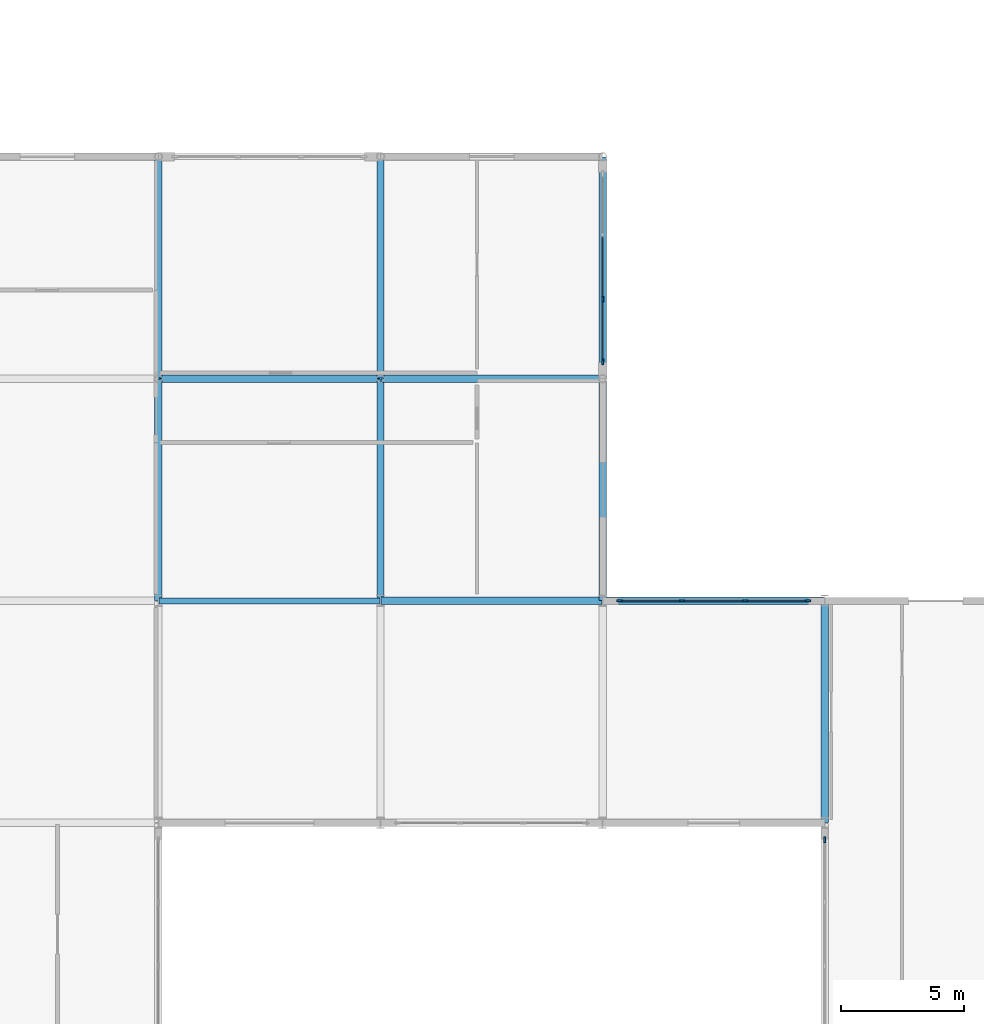
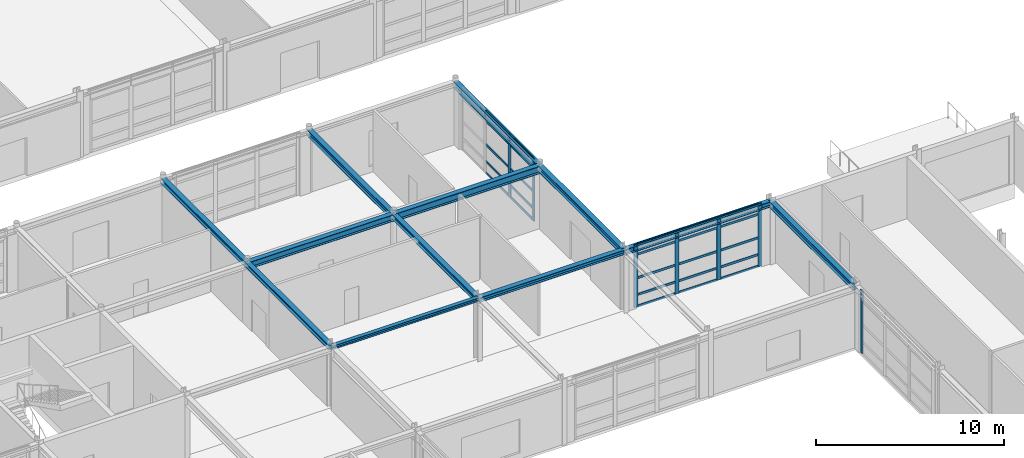
# One storey, part 41 of 72: 32 members, 12 beams, 3 elements without a shape of their own.
"""IFC4 building model written with IfcOpenShell, lengths in metres."""

from ifc_helpers import new_model, si_unit, direction, frame, origin, origin_2d, place, context, subcontext, project, spatial, rectangle, i_section, extrude, material, material_profile, profile_set, type_object, element, aggregate, save


model = new_model("IFC4")

# Units and contexts
model_context = context("Model", 3, precision=1e-05, world=origin(), true_north=direction((0.0, 1.0)))
body_context = subcontext(model_context, "Body", "Model", "MODEL_VIEW")
ifc_project = project(units=[si_unit("LENGTHUNIT", "METRE"), si_unit("AREAUNIT", "SQUARE_METRE"), si_unit("VOLUMEUNIT", "CUBIC_METRE"), si_unit("PLANEANGLEUNIT", "RADIAN"), si_unit("MASSUNIT", "GRAM", prefix="KILO")], contexts=[model_context])

# Site, building, storey
site_placement = place(None, origin())
site = spatial("IfcSite", under=ifc_project, at=site_placement, CompositionType="ELEMENT")
building_placement = place(site_placement, origin())
building = spatial("IfcBuilding", under=site, at=building_placement, Name="Palais des Congres Ocreval", CompositionType="ELEMENT")
storey_placement = place(building_placement, origin())
storey = spatial("IfcBuildingStorey", under=building, at=storey_placement, Name="L00", CompositionType="ELEMENT", Elevation=0.0)

# Curtain wall, members
ifc_material_1 = material(Name="Anodized bronze aluminium and low-E glass", Category="glass")
curtain_wall_type = type_object("IfcCurtainWallType", Name="Unitised Curtain Wall 7900x4060", PredefinedType="USERDEFINED", material=ifc_material_1)
curtain_wall_1_placement = place(storey_placement, origin())
curtain_wall_1 = element("IfcCurtainWall", 1, at=curtain_wall_1_placement, inside=storey, type_object=curtain_wall_type, Name="Unitised Curtain Wall CW01 L00", ObjectType="UNITISED CURTAIN WALL", PredefinedType="USERDEFINED")
ifc_material_2 = material(Name="Anodized bronze aluminium", Category="aluminium")
ifc_material_profile_1 = material_profile(ifc_material_2, rectangle(XDim=0.074951171875, YDim=0.239990234375, at=origin_2d()), Name="ALU 75x240")
ifc_profile_set_1 = profile_set([ifc_material_profile_1], Name="Anodized bronze aluminium")
member_type_1 = type_object("IfcMemberType", Name="Curtain Wall Mullion ALU 75x240", PredefinedType="MULLION", material=ifc_profile_set_1)
member_1_placement = place(storey_placement, frame((144.0, 57.216796875, 0.0), z_axis=(0.0, 0.0, 1.0), x_axis=(1.0, 0.0, 0.0)))
member_1 = element("IfcMember", 2, at=member_1_placement, type_object=member_type_1, Name="Curtain Wall Mullion ML01", PredefinedType="MULLION", context=body_context, shape_type="SweptSolid", body=[
    extrude(rectangle(XDim=0.074951171875, YDim=0.239990234375, at=origin_2d()), origin(), (0.0, 0.0, 1.0), 4.054931640625),
])
member_2_placement = place(storey_placement, frame((144.0, 54.6875, 0.0), z_axis=(0.0, 0.0, 1.0), x_axis=(1.0, 0.0, 0.0)))
member_2 = element("IfcMember", 3, at=member_2_placement, type_object=member_type_1, Name="Curtain Wall Mullion ML01", PredefinedType="MULLION", context=body_context, shape_type="SweptSolid", body=[
    extrude(rectangle(XDim=0.074951171875, YDim=0.239990234375, at=origin_2d()), origin(), (0.0, 0.0, 1.0), 4.054931640625),
])

curtain_wall_2_placement = place(storey_placement, origin())
curtain_wall_2 = element("IfcCurtainWall", 4, at=curtain_wall_2_placement, inside=storey, type_object=curtain_wall_type, Name="Unitised Curtain Wall CW01 L00", ObjectType="UNITISED CURTAIN WALL", PredefinedType="USERDEFINED")
member_3_placement = place(storey_placement, frame((144.6875, 45.0, 0.0), z_axis=(0.0, 0.0, 1.0), x_axis=(0.0, 1.0, 0.0)))
member_3 = element("IfcMember", 5, at=member_3_placement, type_object=member_type_1, Name="Curtain Wall Mullion ML01", PredefinedType="MULLION", context=body_context, shape_type="SweptSolid", body=[
    extrude(rectangle(XDim=0.074951171875, YDim=0.239990234375, at=origin_2d()), origin(), (0.0, 0.0, 1.0), 4.054931640625),
])
member_4_placement = place(storey_placement, frame((147.216796875, 45.0, 0.0), z_axis=(0.0, 0.0, 1.0), x_axis=(0.0, 1.0, 0.0)))
member_4 = element("IfcMember", 6, at=member_4_placement, type_object=member_type_1, Name="Curtain Wall Mullion ML01", PredefinedType="MULLION", context=body_context, shape_type="SweptSolid", body=[
    extrude(rectangle(XDim=0.074951171875, YDim=0.239990234375, at=origin_2d()), origin(), (0.0, 0.0, 1.0), 4.054931640625),
])
member_5_placement = place(storey_placement, frame((149.783203125, 45.0, 0.0), z_axis=(0.0, 0.0, 1.0), x_axis=(0.0, 1.0, 0.0)))
member_5 = element("IfcMember", 7, at=member_5_placement, type_object=member_type_1, Name="Curtain Wall Mullion ML01", PredefinedType="MULLION", context=body_context, shape_type="SweptSolid", body=[
    extrude(rectangle(XDim=0.074951171875, YDim=0.239990234375, at=origin_2d()), origin(), (0.0, 0.0, 1.0), 4.054931640625),
])
member_6_placement = place(storey_placement, frame((152.3125, 45.0, 0.0), z_axis=(0.0, 0.0, 1.0), x_axis=(0.0, 1.0, 0.0)))
member_6 = element("IfcMember", 8, at=member_6_placement, type_object=member_type_1, Name="Curtain Wall Mullion ML01", PredefinedType="MULLION", context=body_context, shape_type="SweptSolid", body=[
    extrude(rectangle(XDim=0.074951171875, YDim=0.239990234375, at=origin_2d()), origin(), (0.0, 0.0, 1.0), 4.054931640625),
])

# Curtain wall, member
curtain_wall_3_placement = place(storey_placement, origin())
curtain_wall_3 = element("IfcCurtainWall", 9, at=curtain_wall_3_placement, inside=storey, type_object=curtain_wall_type, Name="Unitised Curtain Wall CW01 L00", ObjectType="UNITISED CURTAIN WALL", PredefinedType="USERDEFINED")
member_7_placement = place(storey_placement, frame((153.0, 35.3125, 0.0), z_axis=(0.0, 0.0, 1.0), x_axis=(-1.0, 0.0, 0.0)))
member_7 = element("IfcMember", 10, at=member_7_placement, type_object=member_type_1, Name="Curtain Wall Mullion ML01", PredefinedType="MULLION", context=body_context, shape_type="SweptSolid", body=[
    extrude(rectangle(XDim=0.074951171875, YDim=0.239990234375, at=origin_2d()), origin(), (0.0, 0.0, 1.0), 4.054931640625),
])
aggregate(curtain_wall_3, [member_7])

# Member
ifc_material_profile_2 = material_profile(ifc_material_2, rectangle(XDim=0.06005859375, YDim=0.14990234375, at=origin_2d()), Name="ALU 60x150")
ifc_profile_set_2 = profile_set([ifc_material_profile_2], Name="Anodized bronze aluminium")
member_type_2 = type_object("IfcMemberType", Name="Curtain Wall Transom ALU 60x150", PredefinedType="USERDEFINED", material=ifc_profile_set_2)
member_8_placement = place(storey_placement, frame((144.0, 59.745849609375, 0.030029296875), z_axis=(0.0, -1.0, 0.0), x_axis=(1.0, 0.0, 0.0)))
member_8 = element("IfcMember", 11, at=member_8_placement, type_object=member_type_2, Name="Curtain Wall Transom TR01", ObjectType="TRANSOM", PredefinedType="USERDEFINED", context=body_context, shape_type="SweptSolid", body=[
    extrude(rectangle(XDim=0.06005859375, YDim=0.14990234375, at=origin_2d()), origin(), (0.0, 0.0, 1.0), 2.49169921875),
])

member_9_placement = place(storey_placement, frame((144.0, 59.745849609375, 0.780029296875), z_axis=(0.0, -1.0, 0.0), x_axis=(1.0, 0.0, 0.0)))
member_9 = element("IfcMember", 12, at=member_9_placement, type_object=member_type_2, Name="Curtain Wall Transom TR01", ObjectType="TRANSOM", PredefinedType="USERDEFINED", context=body_context, shape_type="SweptSolid", body=[
    extrude(rectangle(XDim=0.06005859375, YDim=0.14990234375, at=origin_2d()), origin(), (0.0, 0.0, 1.0), 2.49169921875),
])

member_10_placement = place(storey_placement, frame((144.0, 59.745849609375, 1.872802734375), z_axis=(0.0, -1.0, 0.0), x_axis=(1.0, 0.0, 0.0)))
member_10 = element("IfcMember", 13, at=member_10_placement, type_object=member_type_2, Name="Curtain Wall Transom TR01", ObjectType="TRANSOM", PredefinedType="USERDEFINED", context=body_context, shape_type="SweptSolid", body=[
    extrude(rectangle(XDim=0.06005859375, YDim=0.14990234375, at=origin_2d()), origin(), (0.0, 0.0, 1.0), 2.49169921875),
])

member_11_placement = place(storey_placement, frame((144.0, 59.745849609375, 3.405029296875), z_axis=(0.0, -1.0, 0.0), x_axis=(1.0, 0.0, 0.0)))
member_11 = element("IfcMember", 14, at=member_11_placement, type_object=member_type_2, Name="Curtain Wall Transom TR01", ObjectType="TRANSOM", PredefinedType="USERDEFINED", context=body_context, shape_type="SweptSolid", body=[
    extrude(rectangle(XDim=0.06005859375, YDim=0.14990234375, at=origin_2d()), origin(), (0.0, 0.0, 1.0), 2.49169921875),
])

member_12_placement = place(storey_placement, frame((144.0, 59.745849609375, 4.02490234375), z_axis=(0.0, -1.0, 0.0), x_axis=(1.0, 0.0, 0.0)))
member_12 = element("IfcMember", 15, at=member_12_placement, type_object=member_type_2, Name="Curtain Wall Transom TR01", ObjectType="TRANSOM", PredefinedType="USERDEFINED", context=body_context, shape_type="SweptSolid", body=[
    extrude(rectangle(XDim=0.06005859375, YDim=0.14990234375, at=origin_2d()), origin(), (0.0, 0.0, 1.0), 2.49169921875),
])

member_13_placement = place(storey_placement, frame((144.0, 57.17919921875, 0.030029296875), z_axis=(0.0, -1.0, 0.0), x_axis=(1.0, 0.0, 0.0)))
member_13 = element("IfcMember", 16, at=member_13_placement, type_object=member_type_2, Name="Curtain Wall Transom TR01", ObjectType="TRANSOM", PredefinedType="USERDEFINED", context=body_context, shape_type="SweptSolid", body=[
    extrude(rectangle(XDim=0.06005859375, YDim=0.14990234375, at=origin_2d()), origin(), (0.0, 0.0, 1.0), 2.4541015625),
])

member_14_placement = place(storey_placement, frame((144.0, 57.17919921875, 0.780029296875), z_axis=(0.0, -1.0, 0.0), x_axis=(1.0, 0.0, 0.0)))
member_14 = element("IfcMember", 17, at=member_14_placement, type_object=member_type_2, Name="Curtain Wall Transom TR01", ObjectType="TRANSOM", PredefinedType="USERDEFINED", context=body_context, shape_type="SweptSolid", body=[
    extrude(rectangle(XDim=0.06005859375, YDim=0.14990234375, at=origin_2d()), origin(), (0.0, 0.0, 1.0), 2.4541015625),
])

member_15_placement = place(storey_placement, frame((144.0, 57.17919921875, 1.872802734375), z_axis=(0.0, -1.0, 0.0), x_axis=(1.0, 0.0, 0.0)))
member_15 = element("IfcMember", 18, at=member_15_placement, type_object=member_type_2, Name="Curtain Wall Transom TR01", ObjectType="TRANSOM", PredefinedType="USERDEFINED", context=body_context, shape_type="SweptSolid", body=[
    extrude(rectangle(XDim=0.06005859375, YDim=0.14990234375, at=origin_2d()), origin(), (0.0, 0.0, 1.0), 2.4541015625),
])

member_16_placement = place(storey_placement, frame((144.0, 57.17919921875, 3.405029296875), z_axis=(0.0, -1.0, 0.0), x_axis=(1.0, 0.0, 0.0)))
member_16 = element("IfcMember", 19, at=member_16_placement, type_object=member_type_2, Name="Curtain Wall Transom TR01", ObjectType="TRANSOM", PredefinedType="USERDEFINED", context=body_context, shape_type="SweptSolid", body=[
    extrude(rectangle(XDim=0.06005859375, YDim=0.14990234375, at=origin_2d()), origin(), (0.0, 0.0, 1.0), 2.4541015625),
])

member_17_placement = place(storey_placement, frame((144.0, 57.17919921875, 4.02490234375), z_axis=(0.0, -1.0, 0.0), x_axis=(1.0, 0.0, 0.0)))
member_17 = element("IfcMember", 20, at=member_17_placement, type_object=member_type_2, Name="Curtain Wall Transom TR01", ObjectType="TRANSOM", PredefinedType="USERDEFINED", context=body_context, shape_type="SweptSolid", body=[
    extrude(rectangle(XDim=0.06005859375, YDim=0.14990234375, at=origin_2d()), origin(), (0.0, 0.0, 1.0), 2.4541015625),
])

aggregate(curtain_wall_1, [member_1, member_2, member_8, member_9, member_10, member_11, member_12, member_13, member_14, member_15, member_16, member_17])

member_18_placement = place(storey_placement, frame((144.72509765625, 45.0, 0.030029296875), z_axis=(1.0, 0.0, 0.0), x_axis=(0.0, 1.0, 0.0)))
member_18 = element("IfcMember", 21, at=member_18_placement, type_object=member_type_2, Name="Curtain Wall Transom TR01", ObjectType="TRANSOM", PredefinedType="USERDEFINED", context=body_context, shape_type="SweptSolid", body=[
    extrude(rectangle(XDim=0.06005859375, YDim=0.14990234375, at=origin_2d()), origin(), (0.0, 0.0, 1.0), 2.4541015625),
])

member_19_placement = place(storey_placement, frame((144.72509765625, 45.0, 0.780029296875), z_axis=(1.0, 0.0, 0.0), x_axis=(0.0, 1.0, 0.0)))
member_19 = element("IfcMember", 22, at=member_19_placement, type_object=member_type_2, Name="Curtain Wall Transom TR01", ObjectType="TRANSOM", PredefinedType="USERDEFINED", context=body_context, shape_type="SweptSolid", body=[
    extrude(rectangle(XDim=0.06005859375, YDim=0.14990234375, at=origin_2d()), origin(), (0.0, 0.0, 1.0), 2.4541015625),
])

member_20_placement = place(storey_placement, frame((144.72509765625, 45.0, 1.872802734375), z_axis=(1.0, 0.0, 0.0), x_axis=(0.0, 1.0, 0.0)))
member_20 = element("IfcMember", 23, at=member_20_placement, type_object=member_type_2, Name="Curtain Wall Transom TR01", ObjectType="TRANSOM", PredefinedType="USERDEFINED", context=body_context, shape_type="SweptSolid", body=[
    extrude(rectangle(XDim=0.06005859375, YDim=0.14990234375, at=origin_2d()), origin(), (0.0, 0.0, 1.0), 2.4541015625),
])

member_21_placement = place(storey_placement, frame((144.72509765625, 45.0, 3.405029296875), z_axis=(1.0, 0.0, 0.0), x_axis=(0.0, 1.0, 0.0)))
member_21 = element("IfcMember", 24, at=member_21_placement, type_object=member_type_2, Name="Curtain Wall Transom TR01", ObjectType="TRANSOM", PredefinedType="USERDEFINED", context=body_context, shape_type="SweptSolid", body=[
    extrude(rectangle(XDim=0.06005859375, YDim=0.14990234375, at=origin_2d()), origin(), (0.0, 0.0, 1.0), 2.4541015625),
])

member_22_placement = place(storey_placement, frame((144.72509765625, 45.0, 4.02490234375), z_axis=(1.0, 0.0, 0.0), x_axis=(0.0, 1.0, 0.0)))
member_22 = element("IfcMember", 25, at=member_22_placement, type_object=member_type_2, Name="Curtain Wall Transom TR01", ObjectType="TRANSOM", PredefinedType="USERDEFINED", context=body_context, shape_type="SweptSolid", body=[
    extrude(rectangle(XDim=0.06005859375, YDim=0.14990234375, at=origin_2d()), origin(), (0.0, 0.0, 1.0), 2.4541015625),
])

member_23_placement = place(storey_placement, frame((147.254150390625, 45.0, 0.030029296875), z_axis=(1.0, 0.0, 0.0), x_axis=(0.0, 1.0, 0.0)))
member_23 = element("IfcMember", 26, at=member_23_placement, type_object=member_type_2, Name="Curtain Wall Transom TR01", ObjectType="TRANSOM", PredefinedType="USERDEFINED", context=body_context, shape_type="SweptSolid", body=[
    extrude(rectangle(XDim=0.06005859375, YDim=0.14990234375, at=origin_2d()), origin(), (0.0, 0.0, 1.0), 2.49169921875),
])

member_24_placement = place(storey_placement, frame((147.254150390625, 45.0, 0.780029296875), z_axis=(1.0, 0.0, 0.0), x_axis=(0.0, 1.0, 0.0)))
member_24 = element("IfcMember", 27, at=member_24_placement, type_object=member_type_2, Name="Curtain Wall Transom TR01", ObjectType="TRANSOM", PredefinedType="USERDEFINED", context=body_context, shape_type="SweptSolid", body=[
    extrude(rectangle(XDim=0.06005859375, YDim=0.14990234375, at=origin_2d()), origin(), (0.0, 0.0, 1.0), 2.49169921875),
])

member_25_placement = place(storey_placement, frame((147.254150390625, 45.0, 1.872802734375), z_axis=(1.0, 0.0, 0.0), x_axis=(0.0, 1.0, 0.0)))
member_25 = element("IfcMember", 28, at=member_25_placement, type_object=member_type_2, Name="Curtain Wall Transom TR01", ObjectType="TRANSOM", PredefinedType="USERDEFINED", context=body_context, shape_type="SweptSolid", body=[
    extrude(rectangle(XDim=0.06005859375, YDim=0.14990234375, at=origin_2d()), origin(), (0.0, 0.0, 1.0), 2.49169921875),
])

member_26_placement = place(storey_placement, frame((147.254150390625, 45.0, 3.405029296875), z_axis=(1.0, 0.0, 0.0), x_axis=(0.0, 1.0, 0.0)))
member_26 = element("IfcMember", 29, at=member_26_placement, type_object=member_type_2, Name="Curtain Wall Transom TR01", ObjectType="TRANSOM", PredefinedType="USERDEFINED", context=body_context, shape_type="SweptSolid", body=[
    extrude(rectangle(XDim=0.06005859375, YDim=0.14990234375, at=origin_2d()), origin(), (0.0, 0.0, 1.0), 2.49169921875),
])

member_27_placement = place(storey_placement, frame((147.254150390625, 45.0, 4.02490234375), z_axis=(1.0, 0.0, 0.0), x_axis=(0.0, 1.0, 0.0)))
member_27 = element("IfcMember", 30, at=member_27_placement, type_object=member_type_2, Name="Curtain Wall Transom TR01", ObjectType="TRANSOM", PredefinedType="USERDEFINED", context=body_context, shape_type="SweptSolid", body=[
    extrude(rectangle(XDim=0.06005859375, YDim=0.14990234375, at=origin_2d()), origin(), (0.0, 0.0, 1.0), 2.49169921875),
])

member_28_placement = place(storey_placement, frame((149.82080078125, 45.0, 0.030029296875), z_axis=(1.0, 0.0, 0.0), x_axis=(0.0, 1.0, 0.0)))
member_28 = element("IfcMember", 31, at=member_28_placement, type_object=member_type_2, Name="Curtain Wall Transom TR01", ObjectType="TRANSOM", PredefinedType="USERDEFINED", context=body_context, shape_type="SweptSolid", body=[
    extrude(rectangle(XDim=0.06005859375, YDim=0.14990234375, at=origin_2d()), origin(), (0.0, 0.0, 1.0), 2.4541015625),
])

member_29_placement = place(storey_placement, frame((149.82080078125, 45.0, 0.780029296875), z_axis=(1.0, 0.0, 0.0), x_axis=(0.0, 1.0, 0.0)))
member_29 = element("IfcMember", 32, at=member_29_placement, type_object=member_type_2, Name="Curtain Wall Transom TR01", ObjectType="TRANSOM", PredefinedType="USERDEFINED", context=body_context, shape_type="SweptSolid", body=[
    extrude(rectangle(XDim=0.06005859375, YDim=0.14990234375, at=origin_2d()), origin(), (0.0, 0.0, 1.0), 2.4541015625),
])

member_30_placement = place(storey_placement, frame((149.82080078125, 45.0, 1.872802734375), z_axis=(1.0, 0.0, 0.0), x_axis=(0.0, 1.0, 0.0)))
member_30 = element("IfcMember", 33, at=member_30_placement, type_object=member_type_2, Name="Curtain Wall Transom TR01", ObjectType="TRANSOM", PredefinedType="USERDEFINED", context=body_context, shape_type="SweptSolid", body=[
    extrude(rectangle(XDim=0.06005859375, YDim=0.14990234375, at=origin_2d()), origin(), (0.0, 0.0, 1.0), 2.4541015625),
])

member_31_placement = place(storey_placement, frame((149.82080078125, 45.0, 3.405029296875), z_axis=(1.0, 0.0, 0.0), x_axis=(0.0, 1.0, 0.0)))
member_31 = element("IfcMember", 34, at=member_31_placement, type_object=member_type_2, Name="Curtain Wall Transom TR01", ObjectType="TRANSOM", PredefinedType="USERDEFINED", context=body_context, shape_type="SweptSolid", body=[
    extrude(rectangle(XDim=0.06005859375, YDim=0.14990234375, at=origin_2d()), origin(), (0.0, 0.0, 1.0), 2.4541015625),
])

member_32_placement = place(storey_placement, frame((149.82080078125, 45.0, 4.02490234375), z_axis=(1.0, 0.0, 0.0), x_axis=(0.0, 1.0, 0.0)))
member_32 = element("IfcMember", 35, at=member_32_placement, type_object=member_type_2, Name="Curtain Wall Transom TR01", ObjectType="TRANSOM", PredefinedType="USERDEFINED", context=body_context, shape_type="SweptSolid", body=[
    extrude(rectangle(XDim=0.06005859375, YDim=0.14990234375, at=origin_2d()), origin(), (0.0, 0.0, 1.0), 2.4541015625),
])

aggregate(curtain_wall_2, [member_3, member_4, member_5, member_6, member_18, member_19, member_20, member_21, member_22, member_23, member_24, member_25, member_26, member_27, member_28, member_29, member_30, member_31, member_32])

# Beams
ifc_material_3 = material(Name="Steel S355", Category="steel")
ifc_material_profile_3 = material_profile(ifc_material_3, i_section(OverallWidth=0.239990234375, OverallDepth=0.22998046875, WebThickness=0.007568359375, FlangeThickness=0.011962890625, at=origin_2d()), Name="HEA 240")
ifc_profile_set_3 = profile_set([ifc_material_profile_3], Name="Steel S355")
beam_type_1 = type_object("IfcBeamType", Name="Perimeter Spandrel HEA 240 Steel S355", PredefinedType="SPANDREL", material=ifc_profile_set_3)
beam_1_placement = place(storey_placement, frame((126.02001953125, 45.0, 3.93994140625), z_axis=(1.0, 0.0, 0.0), x_axis=(0.0, 1.0, 0.0)))
element("IfcBeam", 36, at=beam_1_placement, inside=storey, type_object=beam_type_1, Name="Beam SP01 L00", PredefinedType="SPANDREL", context=body_context, shape_type="SweptSolid", body=[
    extrude(i_section(OverallWidth=0.239990234375, OverallDepth=0.22998046875, WebThickness=0.007568359375, FlangeThickness=0.011962890625, at=origin_2d()), origin(), (0.0, 0.0, 1.0), 8.9599609375),
])
ifc_material_profile_4 = material_profile(ifc_material_3, i_section(OverallWidth=0.300048828125, OverallDepth=0.300048828125, WebThickness=0.010986328125, FlangeThickness=0.01904296875, at=origin_2d()), Name="HEB 300")
ifc_profile_set_4 = profile_set([ifc_material_profile_4], Name="Steel S355")
beam_type_2 = type_object("IfcBeamType", Name="Perimeter Spandrel HEB 300 Steel S355", PredefinedType="SPANDREL", material=ifc_profile_set_4)
beam_2_placement = place(storey_placement, frame((135.02001953125, 45.0, 3.905029296875), z_axis=(1.0, 0.0, 0.0), x_axis=(0.0, 1.0, 0.0)))
element("IfcBeam", 37, at=beam_2_placement, inside=storey, type_object=beam_type_2, Name="Beam SP02 L00", PredefinedType="SPANDREL", context=body_context, shape_type="SweptSolid", body=[
    extrude(i_section(OverallWidth=0.300048828125, OverallDepth=0.300048828125, WebThickness=0.010986328125, FlangeThickness=0.01904296875, at=origin_2d()), origin(), (0.0, 0.0, 1.0), 8.9599609375),
])
ifc_material_profile_5 = material_profile(ifc_material_3, i_section(OverallWidth=0.300048828125, OverallDepth=0.360107421875, WebThickness=0.012451171875, FlangeThickness=0.0224609375, at=origin_2d()), Name="HEB 360")
ifc_profile_set_5 = profile_set([ifc_material_profile_5], Name="Steel S355")
beam_type_3 = type_object("IfcBeamType", Name="Perimeter Spandrel HEB 360 Steel S355", PredefinedType="SPANDREL", material=ifc_profile_set_5)
beam_3_placement = place(storey_placement, frame((144.02001953125, 45.0, 3.875), z_axis=(1.0, 0.0, 0.0), x_axis=(0.0, 1.0, 0.0)))
element("IfcBeam", 38, at=beam_3_placement, inside=storey, type_object=beam_type_3, Name="Beam SP03 L00", PredefinedType="SPANDREL", context=body_context, shape_type="SweptSolid", body=[
    extrude(i_section(OverallWidth=0.300048828125, OverallDepth=0.360107421875, WebThickness=0.012451171875, FlangeThickness=0.0224609375, at=origin_2d()), origin(), (0.0, 0.0, 1.0), 8.9599609375),
])
ifc_material_profile_6 = material_profile(ifc_material_3, i_section(OverallWidth=0.300048828125, OverallDepth=0.2900390625, WebThickness=0.008544921875, FlangeThickness=0.013916015625, at=origin_2d()), Name="HEA 300")
ifc_profile_set_6 = profile_set([ifc_material_profile_6], Name="Steel S355")
beam_type_4 = type_object("IfcBeamType", Name="Primary Beam HEA 300 Steel S355", PredefinedType="BEAM", material=ifc_profile_set_6)
beam_4_placement = place(storey_placement, frame((126.0, 45.02001953125, 3.909912109375), z_axis=(0.0, 1.0, 0.0), x_axis=(-1.0, 0.0, 0.0)))
element("IfcBeam", 39, at=beam_4_placement, inside=storey, type_object=beam_type_4, Name="Girder B08 L00", PredefinedType="BEAM", context=body_context, shape_type="SweptSolid", body=[
    extrude(i_section(OverallWidth=0.300048828125, OverallDepth=0.2900390625, WebThickness=0.008544921875, FlangeThickness=0.013916015625, at=origin_2d()), origin(), (0.0, 0.0, 1.0), 8.9599609375),
])
ifc_material_profile_7 = material_profile(ifc_material_3, i_section(OverallWidth=0.300048828125, OverallDepth=0.330078125, WebThickness=0.009521484375, FlangeThickness=0.0166015625, at=origin_2d()), Name="HEA 340")
ifc_profile_set_7 = profile_set([ifc_material_profile_7], Name="Steel S355")
beam_type_5 = type_object("IfcBeamType", Name="Primary Beam HEA 340 Steel S355", PredefinedType="BEAM", material=ifc_profile_set_7)
for number, where, z_axis, x_axis, name in (
    (40, (126.0, 54.02001953125, 3.889892578125), (0.0, 1.0, 0.0), (-1.0, 0.0, 0.0), "Girder B09 L00"),
    (41, (135.0, 45.02001953125, 3.889892578125), (0.0, 1.0, 0.0), (-1.0, 0.0, 0.0), "Girder B09 L00"),
):
    element("IfcBeam", number, at=place(storey_placement, frame(where, z_axis=z_axis, x_axis=x_axis)), inside=storey, type_object=beam_type_5, Name=name, PredefinedType="BEAM", context=body_context, shape_type="SweptSolid", body=[
        extrude(i_section(OverallWidth=0.300048828125, OverallDepth=0.330078125, WebThickness=0.009521484375, FlangeThickness=0.0166015625, at=origin_2d()), origin(), (0.0, 0.0, 1.0), 8.9599609375),
    ])
ifc_material_profile_8 = material_profile(ifc_material_3, i_section(OverallWidth=0.300048828125, OverallDepth=0.389892578125, WebThickness=0.010986328125, FlangeThickness=0.01904296875, at=origin_2d()), Name="HEA 400")
ifc_profile_set_8 = profile_set([ifc_material_profile_8], Name="Steel S355")
beam_type_6 = type_object("IfcBeamType", Name="Primary Beam HEA 400 Steel S355", PredefinedType="BEAM", material=ifc_profile_set_8)
for number, where, z_axis, x_axis, name in (
    (42, (135.0, 54.02001953125, 3.860107421875), (0.0, 1.0, 0.0), (-1.0, 0.0, 0.0), "Girder B10 L00"),
    (43, (144.0, 45.02001953125, 3.860107421875), (0.0, 1.0, 0.0), (-1.0, 0.0, 0.0), "Girder B10 L00"),
    (44, (153.0, 36.02001953125, 3.860107421875), (0.0, 1.0, 0.0), (-1.0, 0.0, 0.0), "Girder B10 L00"),
):
    element("IfcBeam", number, at=place(storey_placement, frame(where, z_axis=z_axis, x_axis=x_axis)), inside=storey, type_object=beam_type_6, Name=name, PredefinedType="BEAM", context=body_context, shape_type="SweptSolid", body=[
        extrude(i_section(OverallWidth=0.300048828125, OverallDepth=0.389892578125, WebThickness=0.010986328125, FlangeThickness=0.01904296875, at=origin_2d()), origin(), (0.0, 0.0, 1.0), 8.9599609375),
    ])
ifc_material_profile_9 = material_profile(ifc_material_3, i_section(OverallWidth=0.300048828125, OverallDepth=0.43994140625, WebThickness=0.011474609375, FlangeThickness=0.02099609375, at=origin_2d()), Name="HEA 450")
ifc_profile_set_9 = profile_set([ifc_material_profile_9], Name="Steel S355")
beam_type_7 = type_object("IfcBeamType", Name="Primary Beam HEA 450 Steel S355", PredefinedType="BEAM", material=ifc_profile_set_9)
for number, where, z_axis, x_axis, name in (
    (45, (126.02001953125, 54.0, 3.8349609375), (1.0, 0.0, 0.0), (0.0, 1.0, 0.0), "Beam B11 L00"),
    (46, (144.0, 54.02001953125, 3.8349609375), (0.0, 1.0, 0.0), (-1.0, 0.0, 0.0), "Girder B11 L00"),
):
    element("IfcBeam", number, at=place(storey_placement, frame(where, z_axis=z_axis, x_axis=x_axis)), inside=storey, type_object=beam_type_7, Name=name, PredefinedType="BEAM", context=body_context, shape_type="SweptSolid", body=[
        extrude(i_section(OverallWidth=0.300048828125, OverallDepth=0.43994140625, WebThickness=0.011474609375, FlangeThickness=0.02099609375, at=origin_2d()), origin(), (0.0, 0.0, 1.0), 8.9599609375),
    ])
ifc_material_profile_10 = material_profile(ifc_material_3, i_section(OverallWidth=0.300048828125, OverallDepth=0.489990234375, WebThickness=0.011962890625, FlangeThickness=0.02294921875, at=origin_2d()), Name="HEA 500")
ifc_profile_set_10 = profile_set([ifc_material_profile_10], Name="Steel S355")
beam_type_8 = type_object("IfcBeamType", Name="Primary Beam HEA 500 Steel S355", PredefinedType="BEAM", material=ifc_profile_set_10)
beam_5_placement = place(storey_placement, frame((135.02001953125, 54.0, 3.81005859375), z_axis=(1.0, 0.0, 0.0), x_axis=(0.0, 1.0, 0.0)))
element("IfcBeam", 47, at=beam_5_placement, inside=storey, type_object=beam_type_8, Name="Beam B12 L00", PredefinedType="BEAM", context=body_context, shape_type="SweptSolid", body=[
    extrude(i_section(OverallWidth=0.300048828125, OverallDepth=0.489990234375, WebThickness=0.011962890625, FlangeThickness=0.02294921875, at=origin_2d()), origin(), (0.0, 0.0, 1.0), 8.9599609375),
])

save(model, "model.ifc")
